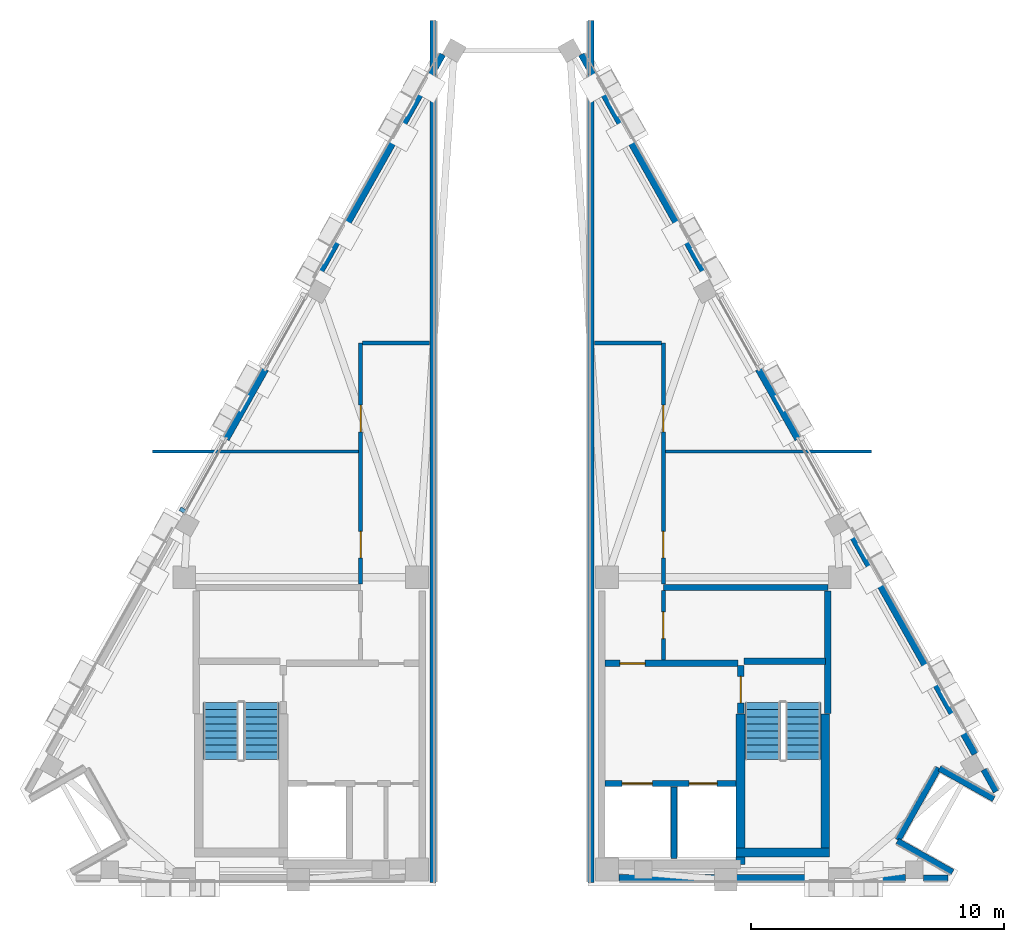
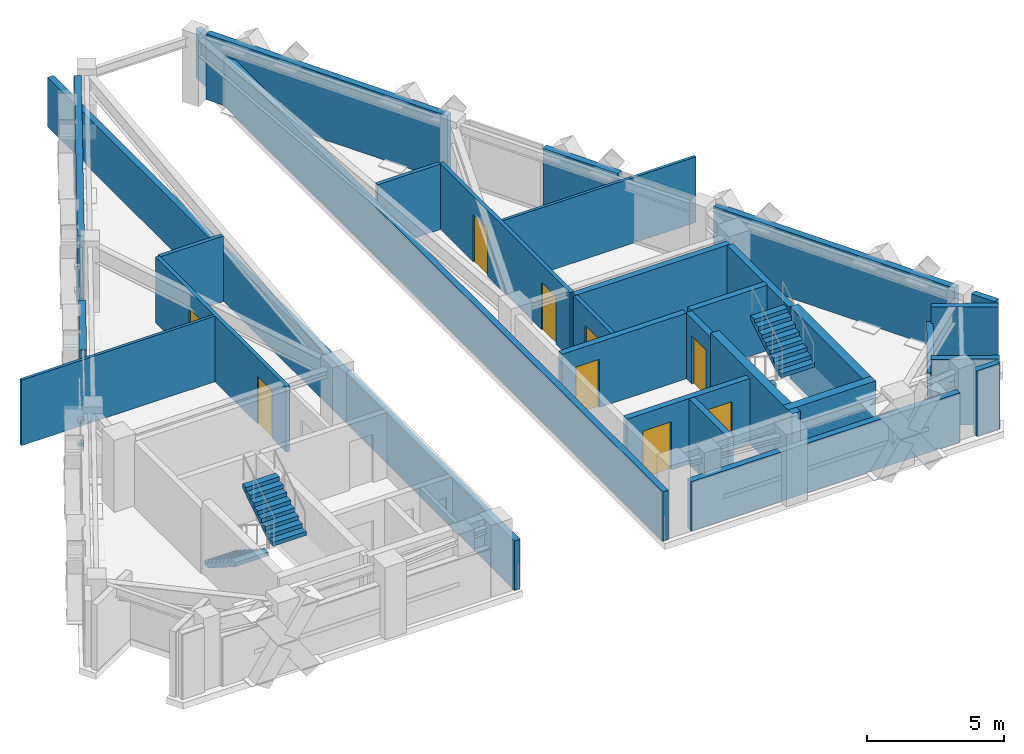
# One storey, part 4 of 7: 30 walls, 9 doors, 4 stair flights, 2 discrete accessories, 9 openings, 2 elements without a shape of their own.
"""IFC4 building model written with IfcOpenShell, lengths in metres."""

from ifc_helpers import new_model, si_unit, direction, frame, frame_2d, origin, origin_2d, place, context, subcontext, project, spatial, polyline, rectangle, outline, extrude, material, layer, layer_set, type_object, element, fill, aggregate, save


model = new_model("IFC4")

# Units and contexts
model_context = context("Model", 3, precision=1e-05, world=origin(), true_north=direction((0.0, 1.0)))
body_context = subcontext(model_context, "Body", "Model", "MODEL_VIEW")
ifc_project = project(units=[si_unit("LENGTHUNIT", "METRE"), si_unit("AREAUNIT", "SQUARE_METRE"), si_unit("VOLUMEUNIT", "CUBIC_METRE"), si_unit("PLANEANGLEUNIT", "RADIAN"), si_unit("MASSUNIT", "GRAM", prefix="KILO")], contexts=[model_context])

# Site, building, storey
site_placement = place(None, origin())
site = spatial("IfcSite", under=ifc_project, at=site_placement, CompositionType="ELEMENT")
building_placement = place(site_placement, origin())
building = spatial("IfcBuilding", under=site, at=building_placement, Name="Quenlor Broadcast Tower", CompositionType="ELEMENT")
storey_placement = place(building_placement, frame((0.0, 0.0, 274.10009765625)))
storey = spatial("IfcBuildingStorey", under=building, at=storey_placement, Name="L76", CompositionType="ELEMENT", Elevation=274.10009765625)

# Walls
ifc_material_1 = material(Name="Concrete C50/60", Category="concrete")
ifc_layer_1 = layer(ifc_material_1, 0.35009765625)
ifc_layer_set_1 = layer_set([ifc_layer_1], Name="Core Concrete C50/60 Shear Wall 350")
wall_type_1 = type_object("IfcWallType", Name="Core Concrete C50/60 Shear Wall 350", PredefinedType="SHEAR", material=ifc_layer_set_1)
wall_1_placement = place(storey_placement, frame((8.85009765625, -15.675048828125, 0.0), z_axis=(0.0, 0.0, 1.0), x_axis=(1.0, 0.0, 0.0)))
element("IfcWall", 1, at=wall_1_placement, inside=storey, type_object=wall_type_1, Name="L76 Core Shear Wall WS-E2", PredefinedType="SHEAR", context=body_context, shape_type="SweptSolid", body=[
    extrude(rectangle(XDim=3.699951171875, YDim=0.35009765625, at=frame_2d((1.85009765625, 0.0))), origin(), (0.0, 0.0, 1.0), 3.199951171875),
])
wall_2_placement = place(storey_placement, frame((12.375, -15.675048828125, 0.0), z_axis=(0.0, 0.0, 1.0), x_axis=(0.0, 1.0, 0.0)))
element("IfcWall", 2, at=wall_2_placement, inside=storey, type_object=wall_type_1, Name="L76 Core Shear Wall WF-E", PredefinedType="SHEAR", context=body_context, shape_type="SweptSolid", body=[
    extrude(rectangle(XDim=5.47509765625, YDim=0.35009765625, at=frame_2d((2.737548828125, 0.0))), origin(), (0.0, 0.0, 1.0), 3.199951171875),
])
wall_3_placement = place(storey_placement, frame((9.02490234375, -16.14990234375, 0.0), z_axis=(0.0, 0.0, 1.0), x_axis=(0.0, 1.0, 0.0)))
element("IfcWall", 3, at=wall_3_placement, inside=storey, type_object=wall_type_1, Name="L76 Core Shear Wall WI-E", PredefinedType="SHEAR", context=body_context, shape_type="SweptSolid", body=[
    extrude(rectangle(XDim=5.949951171875, YDim=0.35009765625, at=frame_2d((2.97509765625, 0.0))), origin(), (0.0, 0.0, 1.0), 3.199951171875),
])

# Wall, opening, door
ifc_material_2 = material(Name="Concrete C40/50", Category="concrete")
ifc_layer_2 = layer(ifc_material_2, 0.25)
ifc_layer_set_2 = layer_set([ifc_layer_2], Name="Fire Rated Concrete C40/50 Core Wall 250")
wall_type_2 = type_object("IfcWallType", Name="Fire Rated Concrete C40/50 Core Wall 250", PredefinedType="PARTITIONING", material=ifc_layer_set_2)
wall_4_placement = place(storey_placement, frame((9.0400390625, -10.179931640625, 0.0), z_axis=(0.0, 0.0, 1.0), x_axis=(0.0, 1.0, 0.0)))
wall_4 = element("IfcWall", 4, at=wall_4_placement, inside=storey, type_object=wall_type_2, Name="L76 Interior Wall CW-ST2-DR", PredefinedType="PARTITIONING", context=body_context, shape_type="SweptSolid", body=[
    extrude(rectangle(XDim=1.89990234375, YDim=0.25, at=frame_2d((0.949951171875, 0.0))), origin(), (0.0, 0.0, 1.0), 2.919921875),
])
opening_1_placement = place(wall_4_placement, frame((0.419921875, 0.0, 0.0)))
opening_1 = element("IfcOpeningElement", 5, at=opening_1_placement, cuts=wall_4, Name="Opening FD-1", PredefinedType="OPENING", context=body_context, shape_type="SweptSolid", body=[
    extrude(rectangle(XDim=1.050048828125, YDim=2.14990234375, at=frame_2d((0.52490234375, 1.074951171875))), frame((0.0, 0.135009765625, 0.0), z_axis=(0.0, -1.0, 0.0), x_axis=(1.0, 0.0, 0.0)), (0.0, 0.0, 1.0), 0.27001953125),
])
ifc_material_3 = material(Name="Fire Rated Steel Door Leaf", Category="steel")
door_type_1 = type_object("IfcDoorType", Name="Fire Isolated Stair Door 1050x2150", OperationType="NOTDEFINED", PredefinedType="DOOR", material=ifc_material_3)
door_1_placement = place(opening_1_placement, origin())
door_1 = element("IfcDoor", 6, at=door_1_placement, inside=storey, type_object=door_type_1, Name="L76 Door DR-ST2", OperationType="SINGLE_SWING_RIGHT", OverallHeight=2.14990234375, OverallWidth=1.050048828125, PredefinedType="DOOR", context=body_context, shape_type="SweptSolid", body=[
    extrude(rectangle(XDim=1.050048828125, YDim=2.14990234375, at=frame_2d((0.52490234375, 1.074951171875))), frame((0.0, 0.02490234375, 0.0), z_axis=(0.0, -1.0, 0.0), x_axis=(1.0, 0.0, 0.0)), (0.0, 0.0, 1.0), 0.050048828125),
])
fill(opening_1, door_1)

# Walls
wall_5_placement = place(storey_placement, frame((9.159912109375, -8.1201171875, 0.0), z_axis=(0.0, 0.0, 1.0), x_axis=(1.0, 0.0, 0.0)))
element("IfcWall", 7, at=wall_5_placement, inside=storey, type_object=wall_type_2, Name="L76 Interior Wall CW-ST2-N", PredefinedType="PARTITIONING", context=body_context, shape_type="SweptSolid", body=[
    extrude(rectangle(XDim=3.219970703125, YDim=0.25, at=frame_2d((1.60986328125, 0.0))), origin(), (0.0, 0.0, 1.0), 2.919921875),
])
wall_6_placement = place(storey_placement, frame((12.47998046875, -10.179931640625, 0.0), z_axis=(0.0, 0.0, 1.0), x_axis=(0.0, 1.0, 0.0)))
element("IfcWall", 8, at=wall_6_placement, inside=storey, type_object=wall_type_2, Name="L76 Interior Wall CW-ST2-E2", PredefinedType="PARTITIONING", context=body_context, shape_type="SweptSolid", body=[
    extrude(rectangle(XDim=4.83984375, YDim=0.25, at=frame_2d((2.419921875, 0.0))), origin(), (0.0, 0.0, 1.0), 2.919921875),
])

# Wall, openings, doors
wall_7_placement = place(storey_placement, frame((3.679931640625, -12.949951171875, 0.0), z_axis=(0.0, 0.0, 1.0), x_axis=(1.0, 0.0, 0.0)))
wall_7 = element("IfcWall", 9, at=wall_7_placement, inside=storey, type_object=wall_type_2, Name="L76 Interior Wall CW-FFE-S", PredefinedType="PARTITIONING", context=body_context, shape_type="SweptSolid", body=[
    extrude(rectangle(XDim=5.16796875, YDim=0.25, at=frame_2d((2.583984375, 0.0))), origin(), (0.0, 0.0, 1.0), 2.919921875),
])
opening_2_placement = place(wall_7_placement, frame((3.320068359375, 0.0, 0.0)))
opening_2 = element("IfcOpeningElement", 10, at=opening_2_placement, cuts=wall_7, Name="Opening LD-FFL-2", PredefinedType="OPENING", context=body_context, shape_type="SweptSolid", body=[
    extrude(rectangle(XDim=1.10009765625, YDim=2.14990234375, at=frame_2d((0.550048828125, 1.074951171875))), frame((0.0, 0.135009765625, 0.0), z_axis=(0.0, -1.0, 0.0), x_axis=(1.0, 0.0, 0.0)), (0.0, 0.0, 1.0), 0.27001953125),
])
opening_3_placement = place(wall_7_placement, frame((0.669921875, 0.0, 0.0)))
opening_3 = element("IfcOpeningElement", 11, at=opening_3_placement, cuts=wall_7, Name="Opening LD-SVL-1", PredefinedType="OPENING", context=body_context, shape_type="SweptSolid", body=[
    extrude(rectangle(XDim=1.199951171875, YDim=2.14990234375, at=frame_2d((0.60009765625, 1.074951171875))), frame((0.0, 0.135009765625, 0.0), z_axis=(0.0, -1.0, 0.0), x_axis=(1.0, 0.0, 0.0)), (0.0, 0.0, 1.0), 0.27001953125),
])
ifc_material_4 = material(Name="Brushed Stainless Steel", Category="steel")
door_type_2 = type_object("IfcDoorType", Name="Emergency Lift Sliding Landing Door 1100x2150", OperationType="NOTDEFINED", PredefinedType="DOOR", material=ifc_material_4)
door_2_placement = place(opening_2_placement, origin())
door_2 = element("IfcDoor", 12, at=door_2_placement, inside=storey, type_object=door_type_2, Name="L76 Door LD-FFL-2", OperationType="SLIDING_TO_RIGHT", OverallHeight=2.14990234375, OverallWidth=1.10009765625, PredefinedType="DOOR", context=body_context, shape_type="SweptSolid", body=[
    extrude(rectangle(XDim=1.10009765625, YDim=2.14990234375, at=frame_2d((0.550048828125, 1.074951171875))), frame((0.0, 0.02490234375, 0.0), z_axis=(0.0, -1.0, 0.0), x_axis=(1.0, 0.0, 0.0)), (0.0, 0.0, 1.0), 0.050048828125),
])
fill(opening_2, door_2)
ifc_material_5 = material(Name="Brushed Stainless Steel", Category="steel")
door_type_3 = type_object("IfcDoorType", Name="Goods Lift Sliding Landing Door 1200x2150", OperationType="NOTDEFINED", PredefinedType="DOOR", material=ifc_material_5)
door_3_placement = place(opening_3_placement, origin())
door_3 = element("IfcDoor", 13, at=door_3_placement, inside=storey, type_object=door_type_3, Name="L76 Door LD-SVL-1", OperationType="SLIDING_TO_LEFT", OverallHeight=2.14990234375, OverallWidth=1.199951171875, PredefinedType="DOOR", context=body_context, shape_type="SweptSolid", body=[
    extrude(rectangle(XDim=1.199951171875, YDim=2.14990234375, at=frame_2d((0.60009765625, 1.074951171875))), frame((0.0, 0.02490234375, 0.0), z_axis=(0.0, -1.0, 0.0), x_axis=(1.0, 0.0, 0.0)), (0.0, 0.0, 1.0), 0.050048828125),
])
fill(opening_3, door_3)

# Wall
wall_8_placement = place(storey_placement, frame((6.39990234375, -15.919921875, 0.0), z_axis=(0.0, 0.0, 1.0), x_axis=(0.0, 1.0, 0.0)))
element("IfcWall", 14, at=wall_8_placement, inside=storey, type_object=wall_type_2, Name="L76 Interior Wall CW-SV1-E", PredefinedType="PARTITIONING", context=body_context, shape_type="SweptSolid", body=[
    extrude(rectangle(XDim=2.829833984375, YDim=0.25, at=frame_2d((1.4150390625, 0.0))), origin(), (0.0, 0.0, 1.0), 2.919921875),
])

# Wall, opening, door
wall_9_placement = place(storey_placement, frame((3.679931640625, -8.199951171875, 0.0), z_axis=(0.0, 0.0, 1.0), x_axis=(1.0, 0.0, 0.0)))
wall_9 = element("IfcWall", 15, at=wall_9_placement, inside=storey, type_object=wall_type_2, Name="L76 Interior Wall CW-FFE-N", PredefinedType="PARTITIONING", context=body_context, shape_type="SweptSolid", body=[
    extrude(rectangle(XDim=5.239990234375, YDim=0.25, at=frame_2d((2.6201171875, 0.0))), origin(), (0.0, 0.0, 1.0), 2.919921875),
])
opening_4_placement = place(wall_9_placement, frame((0.580078125, 0.0, 0.0)))
opening_4 = element("IfcOpeningElement", 16, at=opening_4_placement, cuts=wall_9, Name="Opening FD-2", PredefinedType="OPENING", context=body_context, shape_type="SweptSolid", body=[
    extrude(rectangle(XDim=1.0, YDim=2.14990234375, at=frame_2d((0.5, 1.074951171875))), frame((0.0, 0.135009765625, 0.0), z_axis=(0.0, -1.0, 0.0), x_axis=(1.0, 0.0, 0.0)), (0.0, 0.0, 1.0), 0.27001953125),
])
ifc_material_6 = material(Name="Fire Rated Glazed Steel Door", Category="steel")
door_type_4 = type_object("IfcDoorType", Name="Firefighting Lobby Smoke Door 1000x2150", OperationType="NOTDEFINED", PredefinedType="DOOR", material=ifc_material_6)
door_4_placement = place(opening_4_placement, origin())
door_4 = element("IfcDoor", 17, at=door_4_placement, inside=storey, type_object=door_type_4, Name="L76 Door DR-FFLE", OperationType="SINGLE_SWING_RIGHT", OverallHeight=2.14990234375, OverallWidth=1.0, PredefinedType="DOOR", context=body_context, shape_type="SweptSolid", body=[
    extrude(rectangle(XDim=1.0, YDim=2.14990234375, at=frame_2d((0.5, 1.074951171875))), frame((0.0, 0.02490234375, 0.0), z_axis=(0.0, -1.0, 0.0), x_axis=(1.0, 0.0, 0.0)), (0.0, 0.0, 1.0), 0.050048828125),
])
fill(opening_4, door_4)

# Wall
wall_10_placement = place(storey_placement, frame((5.97998046875, -5.199951171875, 0.0), z_axis=(0.0, 0.0, 1.0), x_axis=(1.0, 0.0, 0.0)))
element("IfcWall", 18, at=wall_10_placement, inside=storey, type_object=wall_type_2, Name="L76 Interior Wall CW-N-E", PredefinedType="PARTITIONING", context=body_context, shape_type="SweptSolid", body=[
    extrude(rectangle(XDim=6.5, YDim=0.25, at=frame_2d((3.25, 0.0))), origin(), (0.0, 0.0, 1.0), 2.919921875),
])

# Wall, opening, door
ifc_material_7 = material(Name="Gypsum Fireboard Partition", Category="other")
ifc_layer_3 = layer(ifc_material_7, 0.159912109375)
ifc_layer_set_3 = layer_set([ifc_layer_3], Name="Fire Rated Shaft and Corridor Partition 160")
wall_type_3 = type_object("IfcWallType", Name="Fire Rated Shaft and Corridor Partition 160", PredefinedType="PARTITIONING", material=ifc_layer_set_3)
wall_11_placement = place(storey_placement, frame((5.97998046875, -8.072998046875, 0.0), z_axis=(0.0, 0.0, 1.0), x_axis=(0.0, 1.0, 0.0)))
wall_11 = element("IfcWall", 19, at=wall_11_placement, inside=storey, type_object=wall_type_3, Name="L76 Interior Wall CW-CRNEQE-W", PredefinedType="PARTITIONING", context=body_context, shape_type="SweptSolid", body=[
    extrude(rectangle(XDim=2.74609375, YDim=0.159912109375, at=frame_2d((1.373046875, 0.0))), origin(), (0.0, 0.0, 1.0), 2.919921875),
])
opening_5_placement = place(wall_11_placement, frame((0.85302734375, 0.0, 0.0)))
opening_5 = element("IfcOpeningElement", 20, at=opening_5_placement, cuts=wall_11, Name="Opening FD-3", PredefinedType="OPENING", context=body_context, shape_type="SweptSolid", body=[
    extrude(rectangle(XDim=1.050048828125, YDim=2.1201171875, at=frame_2d((0.52490234375, 1.06005859375))), frame((0.0, 0.08984375, 0.0), z_axis=(0.0, -1.0, 0.0), x_axis=(1.0, 0.0, 0.0)), (0.0, 0.0, 1.0), 0.179931640625),
])
ifc_material_8 = material(Name="Galvanised Fire Steel Leaf", Category="steel")
door_type_5 = type_object("IfcDoorType", Name="Plant Room Fire Rated Door 1050x2120", OperationType="NOTDEFINED", PredefinedType="DOOR", material=ifc_material_8)
door_5_placement = place(opening_5_placement, origin())
door_5 = element("IfcDoor", 21, at=door_5_placement, inside=storey, type_object=door_type_5, Name="L76 Door DR-RCH1", OperationType="SINGLE_SWING_LEFT", OverallHeight=2.1201171875, OverallWidth=1.050048828125, PredefinedType="DOOR", context=body_context, shape_type="SweptSolid", body=[
    extrude(rectangle(XDim=1.050048828125, YDim=2.1201171875, at=frame_2d((0.52490234375, 1.06005859375))), frame((0.0, 0.02490234375, 0.0), z_axis=(0.0, -1.0, 0.0), x_axis=(1.0, 0.0, 0.0)), (0.0, 0.0, 1.0), 0.050048828125),
])
fill(opening_5, door_5)

# Wall, openings, doors
wall_12_placement = place(storey_placement, frame((-5.97998046875, -5.072998046875, 0.0), z_axis=(0.0, 0.0, 1.0), x_axis=(0.0, 1.0, 0.0)))
wall_12 = element("IfcWall", 22, at=wall_12_placement, inside=storey, type_object=wall_type_3, Name="L76 Interior Wall PW-WP-WCW", PredefinedType="PARTITIONING", context=body_context, shape_type="SweptSolid", body=[
    extrude(rectangle(XDim=9.52294921875, YDim=0.159912109375, at=frame_2d((4.761474609375, 0.0))), origin(), (0.0, 0.0, 1.0), 2.919921875),
])
opening_6_placement = place(wall_12_placement, frame((1.04296875, 0.0, 0.0)))
opening_6 = element("IfcOpeningElement", 23, at=opening_6_placement, cuts=wall_12, Name="Opening FD-3", PredefinedType="OPENING", context=body_context, shape_type="SweptSolid", body=[
    extrude(rectangle(XDim=1.050048828125, YDim=2.1201171875, at=frame_2d((0.52490234375, 1.06005859375))), frame((0.0, 0.08984375, 0.0), z_axis=(0.0, -1.0, 0.0), x_axis=(1.0, 0.0, 0.0)), (0.0, 0.0, 1.0), 0.179931640625),
])
opening_7_placement = place(wall_12_placement, frame((6.02294921875, 0.0, 0.0)))
opening_7 = element("IfcOpeningElement", 24, at=opening_7_placement, cuts=wall_12, Name="Opening FD-3", PredefinedType="OPENING", context=body_context, shape_type="SweptSolid", body=[
    extrude(rectangle(XDim=1.050048828125, YDim=2.1201171875, at=frame_2d((0.52490234375, 1.06005859375))), frame((0.0, 0.08984375, 0.0), z_axis=(0.0, -1.0, 0.0), x_axis=(1.0, 0.0, 0.0)), (0.0, 0.0, 1.0), 0.179931640625),
])
door_6_placement = place(opening_6_placement, origin())
door_6 = element("IfcDoor", 25, at=door_6_placement, inside=storey, type_object=door_type_5, Name="L76 Door DR-WP1", OperationType="SINGLE_SWING_LEFT", OverallHeight=2.1201171875, OverallWidth=1.050048828125, PredefinedType="DOOR", context=body_context, shape_type="SweptSolid", body=[
    extrude(rectangle(XDim=1.050048828125, YDim=2.1201171875, at=frame_2d((0.52490234375, 1.06005859375))), frame((0.0, 0.02490234375, 0.0), z_axis=(0.0, -1.0, 0.0), x_axis=(1.0, 0.0, 0.0)), (0.0, 0.0, 1.0), 0.050048828125),
])
fill(opening_6, door_6)
door_7_placement = place(opening_7_placement, origin())
door_7 = element("IfcDoor", 26, at=door_7_placement, inside=storey, type_object=door_type_5, Name="L76 Door DR-WP3", OperationType="SINGLE_SWING_LEFT", OverallHeight=2.1201171875, OverallWidth=1.050048828125, PredefinedType="DOOR", context=body_context, shape_type="SweptSolid", body=[
    extrude(rectangle(XDim=1.050048828125, YDim=2.1201171875, at=frame_2d((0.52490234375, 1.06005859375))), frame((0.0, 0.02490234375, 0.0), z_axis=(0.0, -1.0, 0.0), x_axis=(1.0, 0.0, 0.0)), (0.0, 0.0, 1.0), 0.050048828125),
])
fill(opening_7, door_7)

# Wall
wall_13_placement = place(storey_placement, frame((-5.89794921875, 4.449951171875, 0.0), z_axis=(0.0, 0.0, 1.0), x_axis=(1.0, 0.0, 0.0)))
element("IfcWall", 27, at=wall_13_placement, inside=storey, type_object=wall_type_3, Name="L76 Interior Wall PW-WP-WCN", PredefinedType="PARTITIONING", context=body_context, shape_type="SweptSolid", body=[
    extrude(rectangle(XDim=2.64794921875, YDim=0.159912109375, at=frame_2d((1.323974609375, 0.0))), origin(), (0.0, 0.0, 1.0), 2.919921875),
])

# Wall, openings, doors
wall_14_placement = place(storey_placement, frame((5.97998046875, -5.072998046875, 0.0), z_axis=(0.0, 0.0, 1.0), x_axis=(0.0, 1.0, 0.0)))
wall_14 = element("IfcWall", 28, at=wall_14_placement, inside=storey, type_object=wall_type_3, Name="L76 Interior Wall PW-WP-ECE", PredefinedType="PARTITIONING", context=body_context, shape_type="SweptSolid", body=[
    extrude(rectangle(XDim=9.52294921875, YDim=0.159912109375, at=frame_2d((4.761474609375, 0.0))), origin(), (0.0, 0.0, 1.0), 2.919921875),
])
opening_8_placement = place(wall_14_placement, frame((1.04296875, 0.0, 0.0)))
opening_8 = element("IfcOpeningElement", 29, at=opening_8_placement, cuts=wall_14, Name="Opening FD-3", PredefinedType="OPENING", context=body_context, shape_type="SweptSolid", body=[
    extrude(rectangle(XDim=1.050048828125, YDim=2.1201171875, at=frame_2d((0.52490234375, 1.06005859375))), frame((0.0, 0.08984375, 0.0), z_axis=(0.0, -1.0, 0.0), x_axis=(1.0, 0.0, 0.0)), (0.0, 0.0, 1.0), 0.179931640625),
])
opening_9_placement = place(wall_14_placement, frame((6.02294921875, 0.0, 0.0)))
opening_9 = element("IfcOpeningElement", 30, at=opening_9_placement, cuts=wall_14, Name="Opening FD-3", PredefinedType="OPENING", context=body_context, shape_type="SweptSolid", body=[
    extrude(rectangle(XDim=1.050048828125, YDim=2.1201171875, at=frame_2d((0.52490234375, 1.06005859375))), frame((0.0, 0.08984375, 0.0), z_axis=(0.0, -1.0, 0.0), x_axis=(1.0, 0.0, 0.0)), (0.0, 0.0, 1.0), 0.179931640625),
])
door_8_placement = place(opening_8_placement, origin())
door_8 = element("IfcDoor", 31, at=door_8_placement, inside=storey, type_object=door_type_5, Name="L76 Door DR-WP2", OperationType="SINGLE_SWING_RIGHT", OverallHeight=2.1201171875, OverallWidth=1.050048828125, PredefinedType="DOOR", context=body_context, shape_type="SweptSolid", body=[
    extrude(rectangle(XDim=1.050048828125, YDim=2.1201171875, at=frame_2d((0.52490234375, 1.06005859375))), frame((0.0, 0.02490234375, 0.0), z_axis=(0.0, -1.0, 0.0), x_axis=(1.0, 0.0, 0.0)), (0.0, 0.0, 1.0), 0.050048828125),
])
fill(opening_8, door_8)
door_9_placement = place(opening_9_placement, origin())
door_9 = element("IfcDoor", 32, at=door_9_placement, inside=storey, type_object=door_type_5, Name="L76 Door DR-WP4", OperationType="SINGLE_SWING_RIGHT", OverallHeight=2.1201171875, OverallWidth=1.050048828125, PredefinedType="DOOR", context=body_context, shape_type="SweptSolid", body=[
    extrude(rectangle(XDim=1.050048828125, YDim=2.1201171875, at=frame_2d((0.52490234375, 1.06005859375))), frame((0.0, 0.02490234375, 0.0), z_axis=(0.0, -1.0, 0.0), x_axis=(1.0, 0.0, 0.0)), (0.0, 0.0, 1.0), 0.050048828125),
])
fill(opening_9, door_9)

# Walls
wall_15_placement = place(storey_placement, frame((3.25, 4.449951171875, 0.0), z_axis=(0.0, 0.0, 1.0), x_axis=(1.0, 0.0, 0.0)))
element("IfcWall", 33, at=wall_15_placement, inside=storey, type_object=wall_type_3, Name="L76 Interior Wall PW-WP-ECN", PredefinedType="PARTITIONING", context=body_context, shape_type="SweptSolid", body=[
    extrude(rectangle(XDim=2.64794921875, YDim=0.159912109375, at=frame_2d((1.323974609375, 0.0))), origin(), (0.0, 0.0, 1.0), 2.919921875),
])
ifc_material_9 = material(Name="Gypsum Plasterboard Partition", Category="other")
ifc_layer_4 = layer(ifc_material_9, 0.1201171875)
ifc_layer_set_4 = layer_set([ifc_layer_4], Name="Standard Office Partition 120")
wall_type_4 = type_object("IfcWallType", Name="Standard Office Partition 120", PredefinedType="PARTITIONING", material=ifc_layer_set_4)
for number, where, z_axis, x_axis, name in (
    (34, (-14.199951171875, 0.169921875, 0.0), (0.0, 0.0, 1.0), (1.0, 0.0, 0.0), "L76 Interior Wall PW-WP-WH"),
    (35, (6.06201171875, 0.169921875, 0.0), (0.0, 0.0, 1.0), (1.0, 0.0, 0.0), "L76 Interior Wall PW-WP-EH"),
):
    element("IfcWall", number, at=place(storey_placement, frame(where, z_axis=z_axis, x_axis=x_axis)), inside=storey, type_object=wall_type_4, Name=name, PredefinedType="PARTITIONING", context=body_context, shape_type="SweptSolid", body=[
        extrude(rectangle(XDim=8.137939453125, YDim=0.1201171875, at=frame_2d((4.06884765625, 0.0))), origin(), (0.0, 0.0, 1.0), 2.919921875),
    ])
ifc_material_10 = material(Name="Precast concrete C40/50", Category="concrete")
ifc_layer_5 = layer(ifc_material_10, 0.239990234375)
ifc_layer_set_5 = layer_set([ifc_layer_5], Name="Terrace Threshold Precast Concrete C40/50 Wall 240")
wall_type_5 = type_object("IfcWallType", Name="Terrace Threshold Precast Concrete C40/50 Wall 240", PredefinedType="STANDARD", material=ifc_layer_set_5)
wall_16_placement = place(storey_placement, frame((17.219970703125, -16.675048828125, 0.0), z_axis=(0.0, 0.0, 1.0), x_axis=(-1.0, 0.0, 0.0)))
element("IfcWall", 36, at=wall_16_placement, inside=storey, type_object=wall_type_5, Name="L76 Exterior Wall L76-SHD-SS0", PredefinedType="STANDARD", context=body_context, shape_type="SweptSolid", body=[
    extrude(rectangle(XDim=0.96728515625, YDim=0.239990234375, at=frame_2d((0.483642578125, 0.0))), origin(), (0.0, 0.0, 1.0), 2.919921875),
])
wall_17_placement = place(storey_placement, frame((18.639404296875, -12.39990234375, 0.0), z_axis=(0.0, 0.0, 1.0), x_axis=(0.490261239633, -0.871575537125, 0.0)))
element("IfcWall", 37, at=wall_17_placement, inside=storey, type_object=wall_type_5, Name="L76 Exterior Wall L76-SHD-NES1", PredefinedType="STANDARD", context=body_context, shape_type="SweptSolid", body=[
    extrude(rectangle(XDim=0.994873046875, YDim=0.239990234375, at=frame_2d((0.49755859375, 0.0))), origin(), (0.0, 0.0, 1.0), 2.919921875),
])
wall_18_placement = place(storey_placement, frame((17.40771484375, -16.446533203125, 0.0), z_axis=(0.0, 0.0, 1.0), x_axis=(-0.871588577066, 0.490238056792, 0.0)))
element("IfcWall", 38, at=wall_18_placement, inside=storey, type_object=wall_type_5, Name="L76 Exterior Wall L76-CNR-01", PredefinedType="STANDARD", context=body_context, shape_type="SweptSolid", body=[
    extrude(rectangle(XDim=2.5, YDim=0.239990234375, at=frame_2d((1.25, 0.0))), origin(), (0.0, 0.0, 1.0), 2.919921875),
])
wall_19_placement = place(storey_placement, frame((15.248291015625, -15.18603515625, 0.0), z_axis=(0.0, 0.0, 1.0), x_axis=(0.490293083368, 0.871557624258, 0.0)))
element("IfcWall", 39, at=wall_19_placement, inside=storey, type_object=wall_type_5, Name="L76 Exterior Wall L76-CNR-02", PredefinedType="STANDARD", context=body_context, shape_type="SweptSolid", body=[
    extrude(rectangle(XDim=3.276123046875, YDim=0.239990234375, at=frame_2d((1.63818359375, 0.0))), origin(), (0.0, 0.0, 1.0), 2.203857421875),
])
wall_20_placement = place(storey_placement, frame((16.889404296875, -12.350341796875, 0.0), z_axis=(0.0, 0.0, 1.0), x_axis=(0.87157023615, -0.490270663468, 0.0)))
element("IfcWall", 40, at=wall_20_placement, inside=storey, type_object=wall_type_5, Name="L76 Exterior Wall L76-CNR-03", PredefinedType="STANDARD", context=body_context, shape_type="SweptSolid", body=[
    extrude(rectangle(XDim=2.4599609375, YDim=0.239990234375, at=frame_2d((1.22998046875, 0.0))), origin(), (0.0, 0.0, 1.0), 2.919921875),
])
for number, where, z_axis, x_axis, name in (
    (41, (-3.1201171875, 17.199951171875, 0.0), (0.0, 0.0, 1.0), (0.0, -1.0, 0.0), "L76 Exterior Wall L76-WP-CHKW"),
    (42, (3.1201171875, -16.85009765625, 0.0), (0.0, 0.0, 1.0), (0.0, 1.0, 0.0), "L76 Exterior Wall L76-WP-CHKE"),
):
    element("IfcWall", number, at=place(storey_placement, frame(where, z_axis=z_axis, x_axis=x_axis)), inside=storey, type_object=wall_type_5, Name=name, PredefinedType="STANDARD", context=body_context, shape_type="SweptSolid", body=[
        extrude(rectangle(XDim=34.050048828125, YDim=0.239990234375, at=frame_2d((17.02490234375, 0.0))), origin(), (0.0, 0.0, 1.0), 2.203857421875),
    ])
ifc_material_11 = material(Name="Precast concrete C40/50", Category="concrete")
ifc_layer_6 = layer(ifc_material_11, 0.260009765625)
ifc_layer_set_6 = layer_set([ifc_layer_6], Name="Terracotta Precast Concrete C40/50 Upper Wall 260")
wall_type_6 = type_object("IfcWallType", Name="Terracotta Precast Concrete C40/50 Upper Wall 260", PredefinedType="STANDARD", material=ifc_layer_set_6)
wall_21_placement = place(storey_placement, frame((15.54248046875, -16.675048828125, 0.0), z_axis=(0.0, 0.0, 1.0), x_axis=(-1.0, 0.0, 0.0)))
element("IfcWall", 43, at=wall_21_placement, inside=storey, type_object=wall_type_6, Name="L76 Exterior Wall L76-EW-SA", PredefinedType="STANDARD", context=body_context, shape_type="SweptSolid", body=[
    extrude(rectangle(XDim=11.322509765625, YDim=0.260009765625, at=frame_2d((5.6611328125, 0.0))), origin(), (0.0, 0.0, 1.0), 2.203857421875),
])
wall_22_placement = place(storey_placement, frame((2.741943359375, 15.862548828125, 0.0), z_axis=(0.0, 0.0, 1.0), x_axis=(0.490260105081, -0.871576175309, 0.0)))
element("IfcWall", 44, at=wall_22_placement, inside=storey, type_object=wall_type_6, Name="L76 Exterior Wall L76-EW-NEA", PredefinedType="STANDARD", context=body_context, shape_type="SweptSolid", body=[
    extrude(rectangle(XDim=10.216552734375, YDim=0.260009765625, at=frame_2d((5.1083984375, 0.0))), origin(), (0.0, 0.0, 1.0), 2.919921875),
])
wall_23_placement = place(storey_placement, frame((13.28271484375, -2.876708984375, 0.0), z_axis=(0.0, 0.0, 1.0), x_axis=(0.490270316201, -0.871570431492, 0.0)))
element("IfcWall", 45, at=wall_23_placement, inside=storey, type_object=wall_type_6, Name="L76 Exterior Wall L76-EW-NEC", PredefinedType="STANDARD", context=body_context, shape_type="SweptSolid", body=[
    extrude(rectangle(XDim=10.21630859375, YDim=0.260009765625, at=frame_2d((5.108154296875, 0.0))), origin(), (0.0, 0.0, 1.0), 2.919921875),
])
wall_24_placement = place(storey_placement, frame((9.737060546875, 3.4267578125, 0.0), z_axis=(0.0, 0.0, 1.0), x_axis=(0.490283106586, -0.871563236602, 0.0)))
element("IfcWall", 46, at=wall_24_placement, inside=storey, type_object=wall_type_6, Name="L76 Exterior Wall L76-NE-SP1", PredefinedType="STANDARD", context=body_context, shape_type="SweptSolid", body=[
    extrude(rectangle(XDim=3.180419921875, YDim=0.260009765625, at=frame_2d((1.59033203125, 0.0))), origin(), (0.0, 0.0, 1.0), 2.919921875),
])
wall_25_placement = place(storey_placement, frame((-7.750732421875, 6.9580078125, 0.0), z_axis=(0.0, 0.0, 1.0), x_axis=(0.490260105081, 0.871576175309, 0.0)))
element("IfcWall", 47, at=wall_25_placement, inside=storey, type_object=wall_type_6, Name="L76 Exterior Wall L76-EW-NWC", PredefinedType="STANDARD", context=body_context, shape_type="SweptSolid", body=[
    extrude(rectangle(XDim=10.216552734375, YDim=0.260009765625, at=frame_2d((5.1083984375, 0.0))), origin(), (0.0, 0.0, 1.0), 2.919921875),
])
wall_26_placement = place(storey_placement, frame((-11.29638671875, 0.65478515625, 0.0), z_axis=(0.0, 0.0, 1.0), x_axis=(0.490283106586, 0.871563236602, 0.0)))
element("IfcWall", 48, at=wall_26_placement, inside=storey, type_object=wall_type_6, Name="L76 Exterior Wall L76-NW-SP1", PredefinedType="STANDARD", context=body_context, shape_type="SweptSolid", body=[
    extrude(rectangle(XDim=3.180419921875, YDim=0.260009765625, at=frame_2d((1.59033203125, 0.0))), origin(), (0.0, 0.0, 1.0), 2.919921875),
])

# Stair, stair flights
ifc_material_12 = material(Name="Precast concrete C40/50", Category="concrete")
stair_type = type_object("IfcStairType", Name="Precast Concrete C40/50 Dogleg Stair H320", PredefinedType="HALF_TURN_STAIR", material=ifc_material_12)
stair_1_placement = place(storey_placement, origin())
stair_1 = element("IfcStair", 49, at=stair_1_placement, inside=storey, type_object=stair_type, Name="L76 West Core Fire-Isolated Exit Stair ST-1", PredefinedType="HALF_TURN_STAIR")
ifc_material_13 = material(Name="Precast concrete C40/50", Category="concrete")
ifc_layer_7 = layer(ifc_material_13, 0.14990234375)
ifc_layer_set_7 = layer_set([ifc_layer_7], Name="Precast Concrete C40/50 Stair Flight H320")
stair_flight_type = type_object("IfcStairFlightType", Name="Precast Concrete C40/50 Stair Flight H320", PredefinedType="STRAIGHT", material=ifc_layer_set_7)
stair_flight_1_placement = place(storey_placement, frame((-11.5, -9.75, 0.0), z_axis=(0.0, 0.0, 1.0), x_axis=(0.0, -1.0, 0.0)))
stair_flight_1 = element("IfcStairFlight", 50, at=stair_flight_1_placement, type_object=stair_flight_type, Name="ST-1 flight 1", NumberOfRisers=9, NumberOfTreads=8, PredefinedType="STRAIGHT", RiserHeight=0.177777778, TreadLength=0.28, context=body_context, shape_type="SweptSolid", body=[
    extrude(outline(polyline([(0.0, 0.0), (0.0, 0.177734375), (0.280029296875, 0.177734375), (0.280029296875, 0.35546875), (0.56005859375, 0.35546875), (0.56005859375, 0.533447265625), (0.840087890625, 0.533447265625), (0.840087890625, 0.711181640625), (1.1201171875, 0.711181640625), (1.1201171875, 0.888916015625), (1.39990234375, 0.888916015625), (1.39990234375, 1.066650390625), (1.679931640625, 1.066650390625), (1.679931640625, 1.244384765625), (1.9599609375, 1.244384765625), (1.9599609375, 1.422119140625), (2.239990234375, 1.422119140625), (2.239990234375, 1.60009765625), (2.239990234375, 1.24462890625), (0.27978515625, 0.0), (0.0, 0.0)])), frame((0.0, 0.699951171875, 0.0), z_axis=(0.0, -1.0, 0.0), x_axis=(1.0, 0.0, 0.0)), (0.0, 0.0, 1.0), 1.39990234375),
])
stair_flight_2_placement = place(storey_placement, frame((-9.89990234375, -11.989990234375, 1.599853515625), z_axis=(0.0, 0.0, 1.0), x_axis=(0.0, 1.0, 0.0)))
stair_flight_2 = element("IfcStairFlight", 51, at=stair_flight_2_placement, type_object=stair_flight_type, Name="ST-1 flight 2", NumberOfRisers=9, NumberOfTreads=8, PredefinedType="STRAIGHT", RiserHeight=0.177777778, TreadLength=0.28, context=body_context, shape_type="SweptSolid", body=[
    extrude(outline(polyline([(0.0, 0.0), (0.0, 0.177734375), (0.280029296875, 0.177734375), (0.280029296875, 0.35546875), (0.56005859375, 0.35546875), (0.56005859375, 0.533447265625), (0.840087890625, 0.533447265625), (0.840087890625, 0.711181640625), (1.1201171875, 0.711181640625), (1.1201171875, 0.888916015625), (1.39990234375, 0.888916015625), (1.39990234375, 1.066650390625), (1.679931640625, 1.066650390625), (1.679931640625, 1.244384765625), (1.9599609375, 1.244384765625), (1.9599609375, 1.422119140625), (2.239990234375, 1.422119140625), (2.239990234375, 1.60009765625), (2.239990234375, 1.24462890625), (0.27978515625, 0.0), (0.0, 0.0)])), frame((0.0, 0.699951171875, 0.0), z_axis=(0.0, -1.0, 0.0), x_axis=(1.0, 0.0, 0.0)), (0.0, 0.0, 1.0), 1.39990234375),
])
aggregate(stair_1, [stair_flight_1, stair_flight_2])

stair_2_placement = place(storey_placement, origin())
stair_2 = element("IfcStair", 52, at=stair_2_placement, inside=storey, type_object=stair_type, Name="L76 East Core Fire-Isolated Exit Stair ST-2", PredefinedType="HALF_TURN_STAIR")
stair_flight_3_placement = place(storey_placement, frame((9.89990234375, -9.75, 0.0), z_axis=(0.0, 0.0, 1.0), x_axis=(0.0, -1.0, 0.0)))
stair_flight_3 = element("IfcStairFlight", 53, at=stair_flight_3_placement, type_object=stair_flight_type, Name="ST-2 flight 1", NumberOfRisers=9, NumberOfTreads=8, PredefinedType="STRAIGHT", RiserHeight=0.177777778, TreadLength=0.28, context=body_context, shape_type="SweptSolid", body=[
    extrude(outline(polyline([(0.0, 0.0), (0.0, 0.177734375), (0.280029296875, 0.177734375), (0.280029296875, 0.35546875), (0.56005859375, 0.35546875), (0.56005859375, 0.533447265625), (0.840087890625, 0.533447265625), (0.840087890625, 0.711181640625), (1.1201171875, 0.711181640625), (1.1201171875, 0.888916015625), (1.39990234375, 0.888916015625), (1.39990234375, 1.066650390625), (1.679931640625, 1.066650390625), (1.679931640625, 1.244384765625), (1.9599609375, 1.244384765625), (1.9599609375, 1.422119140625), (2.239990234375, 1.422119140625), (2.239990234375, 1.60009765625), (2.239990234375, 1.24462890625), (0.27978515625, 0.0), (0.0, 0.0)])), frame((0.0, 0.699951171875, 0.0), z_axis=(0.0, -1.0, 0.0), x_axis=(1.0, 0.0, 0.0)), (0.0, 0.0, 1.0), 1.39990234375),
])
stair_flight_4_placement = place(storey_placement, frame((11.5, -11.989990234375, 1.599853515625), z_axis=(0.0, 0.0, 1.0), x_axis=(0.0, 1.0, 0.0)))
stair_flight_4 = element("IfcStairFlight", 54, at=stair_flight_4_placement, type_object=stair_flight_type, Name="ST-2 flight 2", NumberOfRisers=9, NumberOfTreads=8, PredefinedType="STRAIGHT", RiserHeight=0.177777778, TreadLength=0.28, context=body_context, shape_type="SweptSolid", body=[
    extrude(outline(polyline([(0.0, 0.0), (0.0, 0.177734375), (0.280029296875, 0.177734375), (0.280029296875, 0.35546875), (0.56005859375, 0.35546875), (0.56005859375, 0.533447265625), (0.840087890625, 0.533447265625), (0.840087890625, 0.711181640625), (1.1201171875, 0.711181640625), (1.1201171875, 0.888916015625), (1.39990234375, 0.888916015625), (1.39990234375, 1.066650390625), (1.679931640625, 1.066650390625), (1.679931640625, 1.244384765625), (1.9599609375, 1.244384765625), (1.9599609375, 1.422119140625), (2.239990234375, 1.422119140625), (2.239990234375, 1.60009765625), (2.239990234375, 1.24462890625), (0.27978515625, 0.0), (0.0, 0.0)])), frame((0.0, 0.699951171875, 0.0), z_axis=(0.0, -1.0, 0.0), x_axis=(1.0, 0.0, 0.0)), (0.0, 0.0, 1.0), 1.39990234375),
])
aggregate(stair_2, [stair_flight_3, stair_flight_4])

# Discrete accessories
ifc_material_14 = material(Name="Aluminium 6063-T6", Category="aluminium")
discrete_accessory_type = type_object("IfcDiscreteAccessoryType", Name="Stainless Mullion Baguette Support Bracket", PredefinedType="BRACKET", material=ifc_material_14)
for number, where, z_axis, x_axis, name in (
    (55, (-13.01171875, -2.150146484375, 0.98095703125), (0.0, 0.0, 1.0), (0.490268031063, 0.87157171691, 0.0), "L76 Baguette Mullion Bracket 1.1"),
    (56, (-13.01171875, -2.150146484375, 2.0322265625), (0.0, 0.0, 1.0), (0.490268031063, 0.87157171691, 0.0), "L76 Baguette Mullion Bracket 2.1"),
):
    element("IfcDiscreteAccessory", number, at=place(storey_placement, frame(where, z_axis=z_axis, x_axis=x_axis)), inside=storey, type_object=discrete_accessory_type, Name=name, PredefinedType="BRACKET", context=body_context, shape_type="SweptSolid", body=[
        extrude(rectangle(XDim=0.159912109375, YDim=0.239990234375, at=origin_2d()), origin(), (0.0, 0.0, 1.0), 0.139892578125),
    ])

save(model, "model.ifc")
